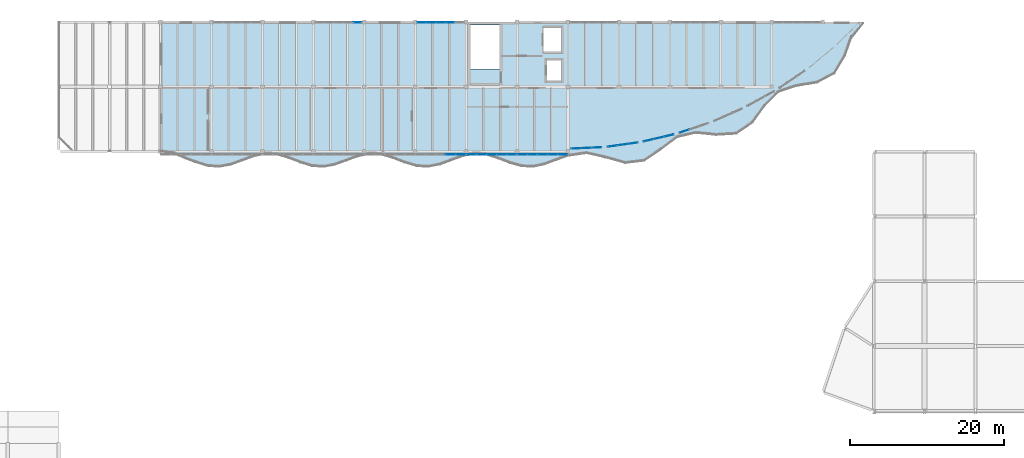
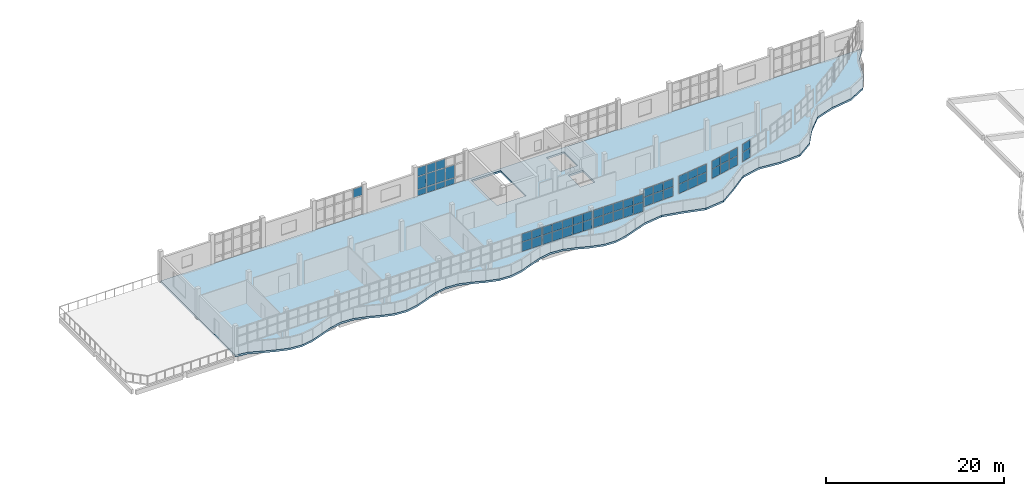
# One storey, part 29 of 47: 56 plates, 1 slab, 9 elements without a shape of their own.
"""IFC4 building model written with IfcOpenShell, lengths in metres."""

from ifc_helpers import new_model, si_unit, direction, frame, origin, origin_2d, place, context, subcontext, project, spatial, polyline, rectangle, outline, extrude, material, layer, layer_set, type_object, element, aggregate, save


model = new_model("IFC4")

# Units and contexts
model_context = context("Model", 3, precision=1e-05, world=origin(), true_north=direction((0.0, 1.0)))
body_context = subcontext(model_context, "Body", "Model", "MODEL_VIEW")
ifc_project = project(units=[si_unit("LENGTHUNIT", "METRE"), si_unit("AREAUNIT", "SQUARE_METRE"), si_unit("VOLUMEUNIT", "CUBIC_METRE"), si_unit("PLANEANGLEUNIT", "RADIAN"), si_unit("MASSUNIT", "GRAM", prefix="KILO")], contexts=[model_context])

# Site, building, storey
site_placement = place(None, origin())
site = spatial("IfcSite", under=ifc_project, at=site_placement, CompositionType="ELEMENT")
building_placement = place(site_placement, origin())
building = spatial("IfcBuilding", under=site, at=building_placement, Name="Qaldarim Faculty of Natural and Applied Sciences", CompositionType="ELEMENT")
storey_placement = place(building_placement, frame((0.0, 0.0, 22.800048828125)))
storey = spatial("IfcBuildingStorey", under=building, at=storey_placement, Name="L05", CompositionType="ELEMENT", Elevation=22.800048828125)

# Slab
ifc_material_1 = material(Name="Concrete C40/50", Category="concrete")
ifc_layer_1 = layer(ifc_material_1, 0.260009765625)
ifc_layer_set_1 = layer_set([ifc_layer_1], Name="Concrete C40/50")
slab_type = type_object("IfcSlabType", Name="LaboratoryFloorSlab-260", PredefinedType="FLOOR", material=ifc_layer_set_1)
slab_placement = place(storey_placement, frame((0.0, 0.0, -0.260009765625)))
element("IfcSlab", 1, at=slab_placement, inside=storey, type_object=slab_type, Name="Floor slab L05 V4", PredefinedType="FLOOR", context=body_context, shape_type="SweptSolid", body=[
    extrude(outline(polyline([(59.39990234375, 100.800048828125), (60.909912109375, 100.60498046875), (62.4150390625, 99.985107421875), (63.925048828125, 99.405029296875), (65.43505859375, 98.93505859375), (66.945068359375, 98.804931640625), (68.449951171875, 99.074951171875), (69.9599609375, 99.614990234375), (71.469970703125, 100.175048828125), (72.97509765625, 100.47998046875), (74.485107421875, 100.39501953125), (75.9951171875, 99.9599609375), (77.5048828125, 99.375), (79.010009765625, 98.919921875), (80.52001953125, 98.81005859375), (82.030029296875, 99.10009765625), (85.044921875, 100.195068359375), (86.554931640625, 100.489990234375), (88.06494140625, 100.3798828125), (89.570068359375, 99.929931640625), (91.080078125, 99.344970703125), (92.590087890625, 98.905029296875), (94.094970703125, 98.81494140625), (95.60498046875, 99.1201171875), (97.114990234375, 99.679931640625), (98.625, 100.219970703125), (100.1298828125, 100.489990234375), (101.639892578125, 100.364990234375), (103.14990234375, 99.89990234375), (104.655029296875, 99.320068359375), (106.1650390625, 98.889892578125), (107.675048828125, 98.824951171875), (109.18505859375, 99.14501953125), (110.68994140625, 99.7099609375), (112.199951171875, 100.239990234375), (114.60009765625, 100.580078125), (117.06494140625, 100.02001953125), (119.625, 99.304931640625), (122.090087890625, 99.60498046875), (124.294921875, 101.10009765625), (126.385009765625, 102.669921875), (128.72509765625, 103.2099609375), (131.405029296875, 102.945068359375), (134.014892578125, 103.10498046875), (136.094970703125, 104.52001953125), (137.699951171875, 106.72509765625), (139.445068359375, 108.510009765625), (141.800048828125, 109.294921875), (144.4951171875, 109.72998046875), (146.72509765625, 110.9150390625), (148.070068359375, 113.14501953125), (148.97509765625, 115.719970703125), (150.47509765625, 117.60009765625), (59.39990234375, 117.60009765625), (59.39990234375, 100.800048828125)]), holes=[polyline([(103.35009765625, 111.514892578125), (103.35009765625, 117.219970703125), (99.550048828125, 117.219970703125), (99.550048828125, 111.514892578125), (103.35009765625, 111.514892578125)]), polyline([(109.449951171875, 109.949951171875), (111.35009765625, 109.949951171875), (111.35009765625, 112.64990234375), (109.449951171875, 112.64990234375), (109.449951171875, 109.949951171875)]), polyline([(109.050048828125, 113.75), (111.35009765625, 113.75), (111.35009765625, 116.85009765625), (109.050048828125, 116.85009765625), (109.050048828125, 113.75)])]), origin(), (0.0, 0.0, 1.0), 0.260009765625),
])

# Curtain wall, plate
ifc_material_2 = material(Name="Anodised aluminium AW-6063", Category="aluminium")
curtain_wall_type_1 = type_object("IfcCurtainWallType", Name="CurtainWallSystem-M1200", PredefinedType="USERDEFINED", material=ifc_material_2)
curtain_wall_1_placement = place(storey_placement, origin())
curtain_wall_1 = element("IfcCurtainWall", 2, at=curtain_wall_1_placement, inside=storey, type_object=curtain_wall_type_1, Name="Curtain wall CW-L05-N-X13Y14", ObjectType="STICK CURTAIN WALL", PredefinedType="USERDEFINED")
ifc_material_3 = material(Name="Insulated low-e double glazing", Category="glass")
ifc_layer_2 = layer(ifc_material_3, 0.031982421875)
ifc_layer_set_2 = layer_set([ifc_layer_2], Name="Insulated low-e double glazing")
plate_type_1 = type_object("IfcPlateType", Name="SolarControlGlazingPanel-32", PredefinedType="CURTAIN_PANEL", material=ifc_layer_set_2)
plate_1_placement = place(storey_placement, frame((84.926513671875, 117.52001953125, 2.73486328125), z_axis=(0.0, 0.0, 1.0), x_axis=(-1.0, 0.0, 0.0)))
plate_1 = element("IfcPlate", 3, at=plate_1_placement, type_object=plate_type_1, Name="Glazed panel 1-3 of CW-L05-N-X13Y14", PredefinedType="CURTAIN_PANEL", context=body_context, shape_type="SweptSolid", body=[
    extrude(rectangle(XDim=1.116943359375, YDim=0.031982421875, at=origin_2d()), origin(), (0.0, 0.0, 1.0), 1.175048828125),
])
aggregate(curtain_wall_1, [plate_1])

# Curtain wall, plates
curtain_wall_2_placement = place(storey_placement, origin())
curtain_wall_2 = element("IfcCurtainWall", 4, at=curtain_wall_2_placement, inside=storey, type_object=curtain_wall_type_1, Name="Curtain wall CW-L05-N-X15Y14", ObjectType="STICK CURTAIN WALL", PredefinedType="USERDEFINED")
plate_2_placement = place(storey_placement, frame((96.922119140625, 117.52001953125, 0.070068359375), z_axis=(0.0, 0.0, 1.0), x_axis=(-1.0, 0.0, 0.0)))
plate_2 = element("IfcPlate", 5, at=plate_2_placement, type_object=plate_type_1, Name="Glazed panel 2-1 of CW-L05-N-X15Y14", PredefinedType="CURTAIN_PANEL", context=body_context, shape_type="SweptSolid", body=[
    extrude(rectangle(XDim=1.152099609375, YDim=0.031982421875, at=origin_2d()), origin(), (0.0, 0.0, 1.0), 0.794921875),
])
plate_3_placement = place(storey_placement, frame((96.922119140625, 117.52001953125, 0.93505859375), z_axis=(0.0, 0.0, 1.0), x_axis=(-1.0, 0.0, 0.0)))
plate_3 = element("IfcPlate", 6, at=plate_3_placement, type_object=plate_type_1, Name="Glazed panel 2-2 of CW-L05-N-X15Y14", PredefinedType="CURTAIN_PANEL", context=body_context, shape_type="SweptSolid", body=[
    extrude(rectangle(XDim=1.152099609375, YDim=0.031982421875, at=origin_2d()), origin(), (0.0, 0.0, 1.0), 1.72998046875),
])
plate_4_placement = place(storey_placement, frame((95.699951171875, 117.52001953125, 0.070068359375), z_axis=(0.0, 0.0, 1.0), x_axis=(-1.0, 0.0, 0.0)))
plate_4 = element("IfcPlate", 7, at=plate_4_placement, type_object=plate_type_1, Name="Glazed panel 3-1 of CW-L05-N-X15Y14", PredefinedType="CURTAIN_PANEL", context=body_context, shape_type="SweptSolid", body=[
    extrude(rectangle(XDim=1.152099609375, YDim=0.031982421875, at=origin_2d()), origin(), (0.0, 0.0, 1.0), 0.794921875),
])
plate_5_placement = place(storey_placement, frame((95.699951171875, 117.52001953125, 0.93505859375), z_axis=(0.0, 0.0, 1.0), x_axis=(-1.0, 0.0, 0.0)))
plate_5 = element("IfcPlate", 8, at=plate_5_placement, type_object=plate_type_1, Name="Glazed panel 3-2 of CW-L05-N-X15Y14", PredefinedType="CURTAIN_PANEL", context=body_context, shape_type="SweptSolid", body=[
    extrude(rectangle(XDim=1.152099609375, YDim=0.031982421875, at=origin_2d()), origin(), (0.0, 0.0, 1.0), 1.72998046875),
])
plate_6_placement = place(storey_placement, frame((95.699951171875, 117.52001953125, 2.73486328125), z_axis=(0.0, 0.0, 1.0), x_axis=(-1.0, 0.0, 0.0)))
plate_6 = element("IfcPlate", 9, at=plate_6_placement, type_object=plate_type_1, Name="Glazed panel 3-3 of CW-L05-N-X15Y14", PredefinedType="CURTAIN_PANEL", context=body_context, shape_type="SweptSolid", body=[
    extrude(rectangle(XDim=1.152099609375, YDim=0.031982421875, at=origin_2d()), origin(), (0.0, 0.0, 1.0), 1.175048828125),
])
plate_7_placement = place(storey_placement, frame((94.47802734375, 117.52001953125, 0.070068359375), z_axis=(0.0, 0.0, 1.0), x_axis=(-1.0, 0.0, 0.0)))
plate_7 = element("IfcPlate", 10, at=plate_7_placement, type_object=plate_type_1, Name="Glazed panel 4-1 of CW-L05-N-X15Y14", PredefinedType="CURTAIN_PANEL", context=body_context, shape_type="SweptSolid", body=[
    extrude(rectangle(XDim=1.152099609375, YDim=0.031982421875, at=origin_2d()), origin(), (0.0, 0.0, 1.0), 0.794921875),
])
plate_8_placement = place(storey_placement, frame((94.47802734375, 117.52001953125, 0.93505859375), z_axis=(0.0, 0.0, 1.0), x_axis=(-1.0, 0.0, 0.0)))
plate_8 = element("IfcPlate", 11, at=plate_8_placement, type_object=plate_type_1, Name="Glazed panel 4-2 of CW-L05-N-X15Y14", PredefinedType="CURTAIN_PANEL", context=body_context, shape_type="SweptSolid", body=[
    extrude(rectangle(XDim=1.152099609375, YDim=0.031982421875, at=origin_2d()), origin(), (0.0, 0.0, 1.0), 1.72998046875),
])
plate_9_placement = place(storey_placement, frame((94.47802734375, 117.52001953125, 2.73486328125), z_axis=(0.0, 0.0, 1.0), x_axis=(-1.0, 0.0, 0.0)))
plate_9 = element("IfcPlate", 12, at=plate_9_placement, type_object=plate_type_1, Name="Glazed panel 4-3 of CW-L05-N-X15Y14", PredefinedType="CURTAIN_PANEL", context=body_context, shape_type="SweptSolid", body=[
    extrude(rectangle(XDim=1.152099609375, YDim=0.031982421875, at=origin_2d()), origin(), (0.0, 0.0, 1.0), 1.175048828125),
])
plate_10_placement = place(storey_placement, frame((93.2734375, 117.52001953125, 0.070068359375), z_axis=(0.0, 0.0, 1.0), x_axis=(-1.0, 0.0, 0.0)))
plate_10 = element("IfcPlate", 13, at=plate_10_placement, type_object=plate_type_1, Name="Glazed panel 5-1 of CW-L05-N-X15Y14", PredefinedType="CURTAIN_PANEL", context=body_context, shape_type="SweptSolid", body=[
    extrude(rectangle(XDim=1.116943359375, YDim=0.031982421875, at=origin_2d()), origin(), (0.0, 0.0, 1.0), 0.794921875),
])
plate_11_placement = place(storey_placement, frame((93.2734375, 117.52001953125, 0.93505859375), z_axis=(0.0, 0.0, 1.0), x_axis=(-1.0, 0.0, 0.0)))
plate_11 = element("IfcPlate", 14, at=plate_11_placement, type_object=plate_type_1, Name="Glazed panel 5-2 of CW-L05-N-X15Y14", PredefinedType="CURTAIN_PANEL", context=body_context, shape_type="SweptSolid", body=[
    extrude(rectangle(XDim=1.116943359375, YDim=0.031982421875, at=origin_2d()), origin(), (0.0, 0.0, 1.0), 1.72998046875),
])
plate_12_placement = place(storey_placement, frame((93.2734375, 117.52001953125, 2.73486328125), z_axis=(0.0, 0.0, 1.0), x_axis=(-1.0, 0.0, 0.0)))
plate_12 = element("IfcPlate", 15, at=plate_12_placement, type_object=plate_type_1, Name="Glazed panel 5-3 of CW-L05-N-X15Y14", PredefinedType="CURTAIN_PANEL", context=body_context, shape_type="SweptSolid", body=[
    extrude(rectangle(XDim=1.116943359375, YDim=0.031982421875, at=origin_2d()), origin(), (0.0, 0.0, 1.0), 1.175048828125),
])
aggregate(curtain_wall_2, [plate_2, plate_3, plate_4, plate_5, plate_6, plate_7, plate_8, plate_9, plate_10, plate_11, plate_12])

curtain_wall_type_2 = type_object("IfcCurtainWallType", Name="CurtainWallSystem-M1400", PredefinedType="USERDEFINED", material=ifc_material_2)
curtain_wall_3_placement = place(storey_placement, origin())
curtain_wall_3 = element("IfcCurtainWall", 16, at=curtain_wall_3_placement, inside=storey, type_object=curtain_wall_type_2, Name="Curtain wall CW-V4RIB-L05-X15", ObjectType="STICK CURTAIN WALL", PredefinedType="USERDEFINED")
ifc_layer_3 = layer(ifc_material_3, 0.028076171875)
ifc_layer_set_3 = layer_set([ifc_layer_3], Name="Insulated low-e double glazing")
plate_type_2 = type_object("IfcPlateType", Name="VisionGlazingPanel-28", PredefinedType="CURTAIN_PANEL", material=ifc_layer_set_3)
plate_13_placement = place(storey_placement, frame((97.00390625, 100.419921875, 1.509765625), z_axis=(0.0, 0.0, 1.0), x_axis=(1.0, 0.0, 0.0)))
plate_13 = element("IfcPlate", 17, at=plate_13_placement, type_object=plate_type_2, Name="Glazed panel 4-1 of CW-V4RIB-L05-X15", PredefinedType="CURTAIN_PANEL", context=body_context, shape_type="SweptSolid", body=[
    extrude(rectangle(XDim=1.243896484375, YDim=0.028076171875, at=origin_2d()), origin(), (0.0, 0.0, 1.0), 1.260009765625),
])
plate_14_placement = place(storey_placement, frame((97.00390625, 100.419921875, 2.830078125), z_axis=(0.0, 0.0, 1.0), x_axis=(1.0, 0.0, 0.0)))
plate_14 = element("IfcPlate", 18, at=plate_14_placement, type_object=plate_type_2, Name="Glazed panel 4-2 of CW-V4RIB-L05-X15", PredefinedType="CURTAIN_PANEL", context=body_context, shape_type="SweptSolid", body=[
    extrude(rectangle(XDim=1.243896484375, YDim=0.028076171875, at=origin_2d()), origin(), (0.0, 0.0, 1.0), 1.070068359375),
])
plate_15_placement = place(storey_placement, frame((98.29296875, 100.419921875, 1.509765625), z_axis=(0.0, 0.0, 1.0), x_axis=(1.0, 0.0, 0.0)))
plate_15 = element("IfcPlate", 19, at=plate_15_placement, type_object=plate_type_2, Name="Glazed panel 5-1 of CW-V4RIB-L05-X15", PredefinedType="CURTAIN_PANEL", context=body_context, shape_type="SweptSolid", body=[
    extrude(rectangle(XDim=1.214111328125, YDim=0.028076171875, at=origin_2d()), origin(), (0.0, 0.0, 1.0), 1.260009765625),
])
plate_16_placement = place(storey_placement, frame((98.29296875, 100.419921875, 2.830078125), z_axis=(0.0, 0.0, 1.0), x_axis=(1.0, 0.0, 0.0)))
plate_16 = element("IfcPlate", 20, at=plate_16_placement, type_object=plate_type_2, Name="Glazed panel 5-2 of CW-V4RIB-L05-X15", PredefinedType="CURTAIN_PANEL", context=body_context, shape_type="SweptSolid", body=[
    extrude(rectangle(XDim=1.214111328125, YDim=0.028076171875, at=origin_2d()), origin(), (0.0, 0.0, 1.0), 1.070068359375),
])
aggregate(curtain_wall_3, [plate_13, plate_14, plate_15, plate_16])

curtain_wall_4_placement = place(storey_placement, origin())
curtain_wall_4 = element("IfcCurtainWall", 21, at=curtain_wall_4_placement, inside=storey, type_object=curtain_wall_type_2, Name="Curtain wall CW-V4RIB-L05-X16", ObjectType="STICK CURTAIN WALL", PredefinedType="USERDEFINED")
plate_17_placement = place(storey_placement, frame((99.70703125, 100.419921875, 1.509765625), z_axis=(0.0, 0.0, 1.0), x_axis=(1.0, 0.0, 0.0)))
plate_17 = element("IfcPlate", 22, at=plate_17_placement, type_object=plate_type_2, Name="Glazed panel 1-1 of CW-V4RIB-L05-X16", PredefinedType="CURTAIN_PANEL", context=body_context, shape_type="SweptSolid", body=[
    extrude(rectangle(XDim=1.214111328125, YDim=0.028076171875, at=origin_2d()), origin(), (0.0, 0.0, 1.0), 1.260009765625),
])
plate_18_placement = place(storey_placement, frame((99.70703125, 100.419921875, 2.830078125), z_axis=(0.0, 0.0, 1.0), x_axis=(1.0, 0.0, 0.0)))
plate_18 = element("IfcPlate", 23, at=plate_18_placement, type_object=plate_type_2, Name="Glazed panel 1-2 of CW-V4RIB-L05-X16", PredefinedType="CURTAIN_PANEL", context=body_context, shape_type="SweptSolid", body=[
    extrude(rectangle(XDim=1.214111328125, YDim=0.028076171875, at=origin_2d()), origin(), (0.0, 0.0, 1.0), 1.070068359375),
])
plate_19_placement = place(storey_placement, frame((100.99609375, 100.419921875, 1.509765625), z_axis=(0.0, 0.0, 1.0), x_axis=(1.0, 0.0, 0.0)))
plate_19 = element("IfcPlate", 24, at=plate_19_placement, type_object=plate_type_2, Name="Glazed panel 2-1 of CW-V4RIB-L05-X16", PredefinedType="CURTAIN_PANEL", context=body_context, shape_type="SweptSolid", body=[
    extrude(rectangle(XDim=1.243896484375, YDim=0.028076171875, at=origin_2d()), origin(), (0.0, 0.0, 1.0), 1.260009765625),
])
plate_20_placement = place(storey_placement, frame((100.99609375, 100.419921875, 2.830078125), z_axis=(0.0, 0.0, 1.0), x_axis=(1.0, 0.0, 0.0)))
plate_20 = element("IfcPlate", 25, at=plate_20_placement, type_object=plate_type_2, Name="Glazed panel 2-2 of CW-V4RIB-L05-X16", PredefinedType="CURTAIN_PANEL", context=body_context, shape_type="SweptSolid", body=[
    extrude(rectangle(XDim=1.243896484375, YDim=0.028076171875, at=origin_2d()), origin(), (0.0, 0.0, 1.0), 1.070068359375),
])
plate_21_placement = place(storey_placement, frame((102.300048828125, 100.419921875, 1.509765625), z_axis=(0.0, 0.0, 1.0), x_axis=(1.0, 0.0, 0.0)))
plate_21 = element("IfcPlate", 26, at=plate_21_placement, type_object=plate_type_2, Name="Glazed panel 3-1 of CW-V4RIB-L05-X16", PredefinedType="CURTAIN_PANEL", context=body_context, shape_type="SweptSolid", body=[
    extrude(rectangle(XDim=1.243896484375, YDim=0.028076171875, at=origin_2d()), origin(), (0.0, 0.0, 1.0), 1.260009765625),
])
plate_22_placement = place(storey_placement, frame((102.300048828125, 100.419921875, 2.830078125), z_axis=(0.0, 0.0, 1.0), x_axis=(1.0, 0.0, 0.0)))
plate_22 = element("IfcPlate", 27, at=plate_22_placement, type_object=plate_type_2, Name="Glazed panel 3-2 of CW-V4RIB-L05-X16", PredefinedType="CURTAIN_PANEL", context=body_context, shape_type="SweptSolid", body=[
    extrude(rectangle(XDim=1.243896484375, YDim=0.028076171875, at=origin_2d()), origin(), (0.0, 0.0, 1.0), 1.070068359375),
])
plate_23_placement = place(storey_placement, frame((103.60400390625, 100.419921875, 1.509765625), z_axis=(0.0, 0.0, 1.0), x_axis=(1.0, 0.0, 0.0)))
plate_23 = element("IfcPlate", 28, at=plate_23_placement, type_object=plate_type_2, Name="Glazed panel 4-1 of CW-V4RIB-L05-X16", PredefinedType="CURTAIN_PANEL", context=body_context, shape_type="SweptSolid", body=[
    extrude(rectangle(XDim=1.243896484375, YDim=0.028076171875, at=origin_2d()), origin(), (0.0, 0.0, 1.0), 1.260009765625),
])
plate_24_placement = place(storey_placement, frame((103.60400390625, 100.419921875, 2.830078125), z_axis=(0.0, 0.0, 1.0), x_axis=(1.0, 0.0, 0.0)))
plate_24 = element("IfcPlate", 29, at=plate_24_placement, type_object=plate_type_2, Name="Glazed panel 4-2 of CW-V4RIB-L05-X16", PredefinedType="CURTAIN_PANEL", context=body_context, shape_type="SweptSolid", body=[
    extrude(rectangle(XDim=1.243896484375, YDim=0.028076171875, at=origin_2d()), origin(), (0.0, 0.0, 1.0), 1.070068359375),
])
plate_25_placement = place(storey_placement, frame((104.89306640625, 100.419921875, 1.509765625), z_axis=(0.0, 0.0, 1.0), x_axis=(1.0, 0.0, 0.0)))
plate_25 = element("IfcPlate", 30, at=plate_25_placement, type_object=plate_type_2, Name="Glazed panel 5-1 of CW-V4RIB-L05-X16", PredefinedType="CURTAIN_PANEL", context=body_context, shape_type="SweptSolid", body=[
    extrude(rectangle(XDim=1.214111328125, YDim=0.028076171875, at=origin_2d()), origin(), (0.0, 0.0, 1.0), 1.260009765625),
])
plate_26_placement = place(storey_placement, frame((104.89306640625, 100.419921875, 2.830078125), z_axis=(0.0, 0.0, 1.0), x_axis=(1.0, 0.0, 0.0)))
plate_26 = element("IfcPlate", 31, at=plate_26_placement, type_object=plate_type_2, Name="Glazed panel 5-2 of CW-V4RIB-L05-X16", PredefinedType="CURTAIN_PANEL", context=body_context, shape_type="SweptSolid", body=[
    extrude(rectangle(XDim=1.214111328125, YDim=0.028076171875, at=origin_2d()), origin(), (0.0, 0.0, 1.0), 1.070068359375),
])
aggregate(curtain_wall_4, [plate_17, plate_18, plate_19, plate_20, plate_21, plate_22, plate_23, plate_24, plate_25, plate_26])

curtain_wall_5_placement = place(storey_placement, origin())
curtain_wall_5 = element("IfcCurtainWall", 32, at=curtain_wall_5_placement, inside=storey, type_object=curtain_wall_type_2, Name="Curtain wall CW-V4RIB-L05-X17", ObjectType="STICK CURTAIN WALL", PredefinedType="USERDEFINED")
plate_27_placement = place(storey_placement, frame((106.306884765625, 100.419921875, 1.509765625), z_axis=(0.0, 0.0, 1.0), x_axis=(1.0, 0.0, 0.0)))
plate_27 = element("IfcPlate", 33, at=plate_27_placement, type_object=plate_type_2, Name="Glazed panel 1-1 of CW-V4RIB-L05-X17", PredefinedType="CURTAIN_PANEL", context=body_context, shape_type="SweptSolid", body=[
    extrude(rectangle(XDim=1.214111328125, YDim=0.028076171875, at=origin_2d()), origin(), (0.0, 0.0, 1.0), 1.260009765625),
])
plate_28_placement = place(storey_placement, frame((106.306884765625, 100.419921875, 2.830078125), z_axis=(0.0, 0.0, 1.0), x_axis=(1.0, 0.0, 0.0)))
plate_28 = element("IfcPlate", 34, at=plate_28_placement, type_object=plate_type_2, Name="Glazed panel 1-2 of CW-V4RIB-L05-X17", PredefinedType="CURTAIN_PANEL", context=body_context, shape_type="SweptSolid", body=[
    extrude(rectangle(XDim=1.214111328125, YDim=0.028076171875, at=origin_2d()), origin(), (0.0, 0.0, 1.0), 1.070068359375),
])
plate_29_placement = place(storey_placement, frame((107.595947265625, 100.419921875, 1.509765625), z_axis=(0.0, 0.0, 1.0), x_axis=(1.0, 0.0, 0.0)))
plate_29 = element("IfcPlate", 35, at=plate_29_placement, type_object=plate_type_2, Name="Glazed panel 2-1 of CW-V4RIB-L05-X17", PredefinedType="CURTAIN_PANEL", context=body_context, shape_type="SweptSolid", body=[
    extrude(rectangle(XDim=1.243896484375, YDim=0.028076171875, at=origin_2d()), origin(), (0.0, 0.0, 1.0), 1.260009765625),
])
plate_30_placement = place(storey_placement, frame((107.595947265625, 100.419921875, 2.830078125), z_axis=(0.0, 0.0, 1.0), x_axis=(1.0, 0.0, 0.0)))
plate_30 = element("IfcPlate", 36, at=plate_30_placement, type_object=plate_type_2, Name="Glazed panel 2-2 of CW-V4RIB-L05-X17", PredefinedType="CURTAIN_PANEL", context=body_context, shape_type="SweptSolid", body=[
    extrude(rectangle(XDim=1.243896484375, YDim=0.028076171875, at=origin_2d()), origin(), (0.0, 0.0, 1.0), 1.070068359375),
])
plate_31_placement = place(storey_placement, frame((108.89990234375, 100.419921875, 1.509765625), z_axis=(0.0, 0.0, 1.0), x_axis=(1.0, 0.0, 0.0)))
plate_31 = element("IfcPlate", 37, at=plate_31_placement, type_object=plate_type_2, Name="Glazed panel 3-1 of CW-V4RIB-L05-X17", PredefinedType="CURTAIN_PANEL", context=body_context, shape_type="SweptSolid", body=[
    extrude(rectangle(XDim=1.243896484375, YDim=0.028076171875, at=origin_2d()), origin(), (0.0, 0.0, 1.0), 1.260009765625),
])
plate_32_placement = place(storey_placement, frame((108.89990234375, 100.419921875, 2.830078125), z_axis=(0.0, 0.0, 1.0), x_axis=(1.0, 0.0, 0.0)))
plate_32 = element("IfcPlate", 38, at=plate_32_placement, type_object=plate_type_2, Name="Glazed panel 3-2 of CW-V4RIB-L05-X17", PredefinedType="CURTAIN_PANEL", context=body_context, shape_type="SweptSolid", body=[
    extrude(rectangle(XDim=1.243896484375, YDim=0.028076171875, at=origin_2d()), origin(), (0.0, 0.0, 1.0), 1.070068359375),
])
plate_33_placement = place(storey_placement, frame((110.2041015625, 100.419921875, 1.509765625), z_axis=(0.0, 0.0, 1.0), x_axis=(1.0, 0.0, 0.0)))
plate_33 = element("IfcPlate", 39, at=plate_33_placement, type_object=plate_type_2, Name="Glazed panel 4-1 of CW-V4RIB-L05-X17", PredefinedType="CURTAIN_PANEL", context=body_context, shape_type="SweptSolid", body=[
    extrude(rectangle(XDim=1.243896484375, YDim=0.028076171875, at=origin_2d()), origin(), (0.0, 0.0, 1.0), 1.260009765625),
])
plate_34_placement = place(storey_placement, frame((110.2041015625, 100.419921875, 2.830078125), z_axis=(0.0, 0.0, 1.0), x_axis=(1.0, 0.0, 0.0)))
plate_34 = element("IfcPlate", 40, at=plate_34_placement, type_object=plate_type_2, Name="Glazed panel 4-2 of CW-V4RIB-L05-X17", PredefinedType="CURTAIN_PANEL", context=body_context, shape_type="SweptSolid", body=[
    extrude(rectangle(XDim=1.243896484375, YDim=0.028076171875, at=origin_2d()), origin(), (0.0, 0.0, 1.0), 1.070068359375),
])
plate_35_placement = place(storey_placement, frame((111.492919921875, 100.419921875, 1.509765625), z_axis=(0.0, 0.0, 1.0), x_axis=(1.0, 0.0, 0.0)))
plate_35 = element("IfcPlate", 41, at=plate_35_placement, type_object=plate_type_2, Name="Glazed panel 5-1 of CW-V4RIB-L05-X17", PredefinedType="CURTAIN_PANEL", context=body_context, shape_type="SweptSolid", body=[
    extrude(rectangle(XDim=1.214111328125, YDim=0.028076171875, at=origin_2d()), origin(), (0.0, 0.0, 1.0), 1.260009765625),
])
plate_36_placement = place(storey_placement, frame((111.492919921875, 100.419921875, 2.830078125), z_axis=(0.0, 0.0, 1.0), x_axis=(1.0, 0.0, 0.0)))
plate_36 = element("IfcPlate", 42, at=plate_36_placement, type_object=plate_type_2, Name="Glazed panel 5-2 of CW-V4RIB-L05-X17", PredefinedType="CURTAIN_PANEL", context=body_context, shape_type="SweptSolid", body=[
    extrude(rectangle(XDim=1.214111328125, YDim=0.028076171875, at=origin_2d()), origin(), (0.0, 0.0, 1.0), 1.070068359375),
])
aggregate(curtain_wall_5, [plate_27, plate_28, plate_29, plate_30, plate_31, plate_32, plate_33, plate_34, plate_35, plate_36])

curtain_wall_6_placement = place(storey_placement, origin())
curtain_wall_6 = element("IfcCurtainWall", 43, at=curtain_wall_6_placement, inside=storey, type_object=curtain_wall_type_2, Name="Curtain wall CW-V4ARC-L05-00", ObjectType="STICK CURTAIN WALL", PredefinedType="USERDEFINED")
plate_37_placement = place(storey_placement, frame((113.23828125, 101.196533203125, 1.509765625), z_axis=(0.0, 0.0, 1.0), x_axis=(0.998953078013, 0.045746561938, 0.0)))
plate_37 = element("IfcPlate", 44, at=plate_37_placement, type_object=plate_type_2, Name="Glazed panel 1-1 of CW-V4ARC-L05-00", PredefinedType="CURTAIN_PANEL", context=body_context, shape_type="SweptSolid", body=[
    extrude(rectangle(XDim=1.258056640625, YDim=0.028076171875, at=origin_2d()), origin(), (0.0, 0.0, 1.0), 1.260009765625),
])
plate_38_placement = place(storey_placement, frame((113.23828125, 101.196533203125, 2.830078125), z_axis=(0.0, 0.0, 1.0), x_axis=(0.998953078013, 0.045746561938, 0.0)))
plate_38 = element("IfcPlate", 45, at=plate_38_placement, type_object=plate_type_2, Name="Glazed panel 1-2 of CW-V4ARC-L05-00", PredefinedType="CURTAIN_PANEL", context=body_context, shape_type="SweptSolid", body=[
    extrude(rectangle(XDim=1.258056640625, YDim=0.028076171875, at=origin_2d()), origin(), (0.0, 0.0, 1.0), 1.070068359375),
])
plate_39_placement = place(storey_placement, frame((114.570068359375, 101.257568359375, 1.509765625), z_axis=(0.0, 0.0, 1.0), x_axis=(0.998953078013, 0.045746561938, 0.0)))
plate_39 = element("IfcPlate", 46, at=plate_39_placement, type_object=plate_type_2, Name="Glazed panel 2-1 of CW-V4ARC-L05-00", PredefinedType="CURTAIN_PANEL", context=body_context, shape_type="SweptSolid", body=[
    extrude(rectangle(XDim=1.2880859375, YDim=0.028076171875, at=origin_2d()), origin(), (0.0, 0.0, 1.0), 1.260009765625),
])
plate_40_placement = place(storey_placement, frame((114.570068359375, 101.257568359375, 2.830078125), z_axis=(0.0, 0.0, 1.0), x_axis=(0.998953078013, 0.045746561938, 0.0)))
plate_40 = element("IfcPlate", 47, at=plate_40_placement, type_object=plate_type_2, Name="Glazed panel 2-2 of CW-V4ARC-L05-00", PredefinedType="CURTAIN_PANEL", context=body_context, shape_type="SweptSolid", body=[
    extrude(rectangle(XDim=1.2880859375, YDim=0.028076171875, at=origin_2d()), origin(), (0.0, 0.0, 1.0), 1.070068359375),
])
plate_41_placement = place(storey_placement, frame((115.901611328125, 101.318603515625, 1.509765625), z_axis=(0.0, 0.0, 1.0), x_axis=(0.998953078013, 0.045746561938, 0.0)))
plate_41 = element("IfcPlate", 48, at=plate_41_placement, type_object=plate_type_2, Name="Glazed panel 3-1 of CW-V4ARC-L05-00", PredefinedType="CURTAIN_PANEL", context=body_context, shape_type="SweptSolid", body=[
    extrude(rectangle(XDim=1.258056640625, YDim=0.028076171875, at=origin_2d()), origin(), (0.0, 0.0, 1.0), 1.260009765625),
])
plate_42_placement = place(storey_placement, frame((115.901611328125, 101.318603515625, 2.830078125), z_axis=(0.0, 0.0, 1.0), x_axis=(0.998953078013, 0.045746561938, 0.0)))
plate_42 = element("IfcPlate", 49, at=plate_42_placement, type_object=plate_type_2, Name="Glazed panel 3-2 of CW-V4ARC-L05-00", PredefinedType="CURTAIN_PANEL", context=body_context, shape_type="SweptSolid", body=[
    extrude(rectangle(XDim=1.258056640625, YDim=0.028076171875, at=origin_2d()), origin(), (0.0, 0.0, 1.0), 1.070068359375),
])
aggregate(curtain_wall_6, [plate_37, plate_38, plate_39, plate_40, plate_41, plate_42])

curtain_wall_7_placement = place(storey_placement, origin())
curtain_wall_7 = element("IfcCurtainWall", 50, at=curtain_wall_7_placement, inside=storey, type_object=curtain_wall_type_2, Name="Curtain wall CW-V4ARC-L05-02", ObjectType="STICK CURTAIN WALL", PredefinedType="USERDEFINED")
plate_43_placement = place(storey_placement, frame((117.96826171875, 101.509521484375, 1.509765625), z_axis=(0.0, 0.0, 1.0), x_axis=(0.990557380089, 0.137098784642, 0.0)))
plate_43 = element("IfcPlate", 51, at=plate_43_placement, type_object=plate_type_2, Name="Glazed panel 1-1 of CW-V4ARC-L05-02", PredefinedType="CURTAIN_PANEL", context=body_context, shape_type="SweptSolid", body=[
    extrude(rectangle(XDim=1.259521484375, YDim=0.028076171875, at=origin_2d()), origin(), (0.0, 0.0, 1.0), 1.260009765625),
])
plate_44_placement = place(storey_placement, frame((117.96826171875, 101.509521484375, 2.830078125), z_axis=(0.0, 0.0, 1.0), x_axis=(0.990557380089, 0.137098784642, 0.0)))
plate_44 = element("IfcPlate", 52, at=plate_44_placement, type_object=plate_type_2, Name="Glazed panel 1-2 of CW-V4ARC-L05-02", PredefinedType="CURTAIN_PANEL", context=body_context, shape_type="SweptSolid", body=[
    extrude(rectangle(XDim=1.259521484375, YDim=0.028076171875, at=origin_2d()), origin(), (0.0, 0.0, 1.0), 1.070068359375),
])
plate_45_placement = place(storey_placement, frame((119.2900390625, 101.6923828125, 1.509765625), z_axis=(0.0, 0.0, 1.0), x_axis=(0.990557380089, 0.137098784642, 0.0)))
plate_45 = element("IfcPlate", 53, at=plate_45_placement, type_object=plate_type_2, Name="Glazed panel 2-1 of CW-V4ARC-L05-02", PredefinedType="CURTAIN_PANEL", context=body_context, shape_type="SweptSolid", body=[
    extrude(rectangle(XDim=1.289306640625, YDim=0.028076171875, at=origin_2d()), origin(), (0.0, 0.0, 1.0), 1.260009765625),
])
plate_46_placement = place(storey_placement, frame((119.2900390625, 101.6923828125, 2.830078125), z_axis=(0.0, 0.0, 1.0), x_axis=(0.990557380089, 0.137098784642, 0.0)))
plate_46 = element("IfcPlate", 54, at=plate_46_placement, type_object=plate_type_2, Name="Glazed panel 2-2 of CW-V4ARC-L05-02", PredefinedType="CURTAIN_PANEL", context=body_context, shape_type="SweptSolid", body=[
    extrude(rectangle(XDim=1.289306640625, YDim=0.028076171875, at=origin_2d()), origin(), (0.0, 0.0, 1.0), 1.070068359375),
])
plate_47_placement = place(storey_placement, frame((120.61181640625, 101.87548828125, 1.509765625), z_axis=(0.0, 0.0, 1.0), x_axis=(0.990557380089, 0.137098784642, 0.0)))
plate_47 = element("IfcPlate", 55, at=plate_47_placement, type_object=plate_type_2, Name="Glazed panel 3-1 of CW-V4ARC-L05-02", PredefinedType="CURTAIN_PANEL", context=body_context, shape_type="SweptSolid", body=[
    extrude(rectangle(XDim=1.259521484375, YDim=0.028076171875, at=origin_2d()), origin(), (0.0, 0.0, 1.0), 1.260009765625),
])
plate_48_placement = place(storey_placement, frame((120.61181640625, 101.87548828125, 2.830078125), z_axis=(0.0, 0.0, 1.0), x_axis=(0.990557380089, 0.137098784642, 0.0)))
plate_48 = element("IfcPlate", 56, at=plate_48_placement, type_object=plate_type_2, Name="Glazed panel 3-2 of CW-V4ARC-L05-02", PredefinedType="CURTAIN_PANEL", context=body_context, shape_type="SweptSolid", body=[
    extrude(rectangle(XDim=1.259521484375, YDim=0.028076171875, at=origin_2d()), origin(), (0.0, 0.0, 1.0), 1.070068359375),
])
aggregate(curtain_wall_7, [plate_43, plate_44, plate_45, plate_46, plate_47, plate_48])

curtain_wall_8_placement = place(storey_placement, origin())
curtain_wall_8 = element("IfcCurtainWall", 57, at=curtain_wall_8_placement, inside=storey, type_object=curtain_wall_type_2, Name="Curtain wall CW-V4ARC-L05-04", ObjectType="STICK CURTAIN WALL", PredefinedType="USERDEFINED")
plate_49_placement = place(storey_placement, frame((122.6513671875, 102.256591796875, 1.509765625), z_axis=(0.0, 0.0, 1.0), x_axis=(0.973805593108, 0.2273822043, 0.0)))
plate_49 = element("IfcPlate", 58, at=plate_49_placement, type_object=plate_type_2, Name="Glazed panel 1-1 of CW-V4ARC-L05-04", PredefinedType="CURTAIN_PANEL", context=body_context, shape_type="SweptSolid", body=[
    extrude(rectangle(XDim=1.2587890625, YDim=0.028076171875, at=origin_2d()), origin(), (0.0, 0.0, 1.0), 1.260009765625),
])
plate_50_placement = place(storey_placement, frame((122.6513671875, 102.256591796875, 2.830078125), z_axis=(0.0, 0.0, 1.0), x_axis=(0.973805593108, 0.2273822043, 0.0)))
plate_50 = element("IfcPlate", 59, at=plate_50_placement, type_object=plate_type_2, Name="Glazed panel 1-2 of CW-V4ARC-L05-04", PredefinedType="CURTAIN_PANEL", context=body_context, shape_type="SweptSolid", body=[
    extrude(rectangle(XDim=1.2587890625, YDim=0.028076171875, at=origin_2d()), origin(), (0.0, 0.0, 1.0), 1.070068359375),
])
plate_51_placement = place(storey_placement, frame((123.949951171875, 102.56005859375, 1.509765625), z_axis=(0.0, 0.0, 1.0), x_axis=(0.973805593108, 0.2273822043, 0.0)))
plate_51 = element("IfcPlate", 60, at=plate_51_placement, type_object=plate_type_2, Name="Glazed panel 2-1 of CW-V4ARC-L05-04", PredefinedType="CURTAIN_PANEL", context=body_context, shape_type="SweptSolid", body=[
    extrude(rectangle(XDim=1.288818359375, YDim=0.028076171875, at=origin_2d()), origin(), (0.0, 0.0, 1.0), 1.260009765625),
])
plate_52_placement = place(storey_placement, frame((123.949951171875, 102.56005859375, 2.830078125), z_axis=(0.0, 0.0, 1.0), x_axis=(0.973805593108, 0.2273822043, 0.0)))
plate_52 = element("IfcPlate", 61, at=plate_52_placement, type_object=plate_type_2, Name="Glazed panel 2-2 of CW-V4ARC-L05-04", PredefinedType="CURTAIN_PANEL", context=body_context, shape_type="SweptSolid", body=[
    extrude(rectangle(XDim=1.288818359375, YDim=0.028076171875, at=origin_2d()), origin(), (0.0, 0.0, 1.0), 1.070068359375),
])
plate_53_placement = place(storey_placement, frame((125.248779296875, 102.86328125, 1.509765625), z_axis=(0.0, 0.0, 1.0), x_axis=(0.973805593108, 0.2273822043, 0.0)))
plate_53 = element("IfcPlate", 62, at=plate_53_placement, type_object=plate_type_2, Name="Glazed panel 3-1 of CW-V4ARC-L05-04", PredefinedType="CURTAIN_PANEL", context=body_context, shape_type="SweptSolid", body=[
    extrude(rectangle(XDim=1.2587890625, YDim=0.028076171875, at=origin_2d()), origin(), (0.0, 0.0, 1.0), 1.260009765625),
])
plate_54_placement = place(storey_placement, frame((125.248779296875, 102.86328125, 2.830078125), z_axis=(0.0, 0.0, 1.0), x_axis=(0.973805593108, 0.2273822043, 0.0)))
plate_54 = element("IfcPlate", 63, at=plate_54_placement, type_object=plate_type_2, Name="Glazed panel 3-2 of CW-V4ARC-L05-04", PredefinedType="CURTAIN_PANEL", context=body_context, shape_type="SweptSolid", body=[
    extrude(rectangle(XDim=1.2587890625, YDim=0.028076171875, at=origin_2d()), origin(), (0.0, 0.0, 1.0), 1.070068359375),
])
aggregate(curtain_wall_8, [plate_49, plate_50, plate_51, plate_52, plate_53, plate_54])

curtain_wall_9_placement = place(storey_placement, origin())
curtain_wall_9 = element("IfcCurtainWall", 64, at=curtain_wall_9_placement, inside=storey, type_object=curtain_wall_type_2, Name="Curtain wall CW-V4ARC-L05-06", ObjectType="STICK CURTAIN WALL", PredefinedType="USERDEFINED")
plate_55_placement = place(storey_placement, frame((127.248291015625, 103.427978515625, 1.509765625), z_axis=(0.0, 0.0, 1.0), x_axis=(0.94856152259, 0.316592858196, 0.0)))
plate_55 = element("IfcPlate", 65, at=plate_55_placement, type_object=plate_type_2, Name="Glazed panel 1-1 of CW-V4ARC-L05-06", PredefinedType="CURTAIN_PANEL", context=body_context, shape_type="SweptSolid", body=[
    extrude(rectangle(XDim=1.2578125, YDim=0.028076171875, at=origin_2d()), origin(), (0.0, 0.0, 1.0), 1.260009765625),
])
plate_56_placement = place(storey_placement, frame((127.248291015625, 103.427978515625, 2.830078125), z_axis=(0.0, 0.0, 1.0), x_axis=(0.94856152259, 0.316592858196, 0.0)))
plate_56 = element("IfcPlate", 66, at=plate_56_placement, type_object=plate_type_2, Name="Glazed panel 1-2 of CW-V4ARC-L05-06", PredefinedType="CURTAIN_PANEL", context=body_context, shape_type="SweptSolid", body=[
    extrude(rectangle(XDim=1.2578125, YDim=0.028076171875, at=origin_2d()), origin(), (0.0, 0.0, 1.0), 1.070068359375),
])
aggregate(curtain_wall_9, [plate_55, plate_56])

save(model, "model.ifc")
